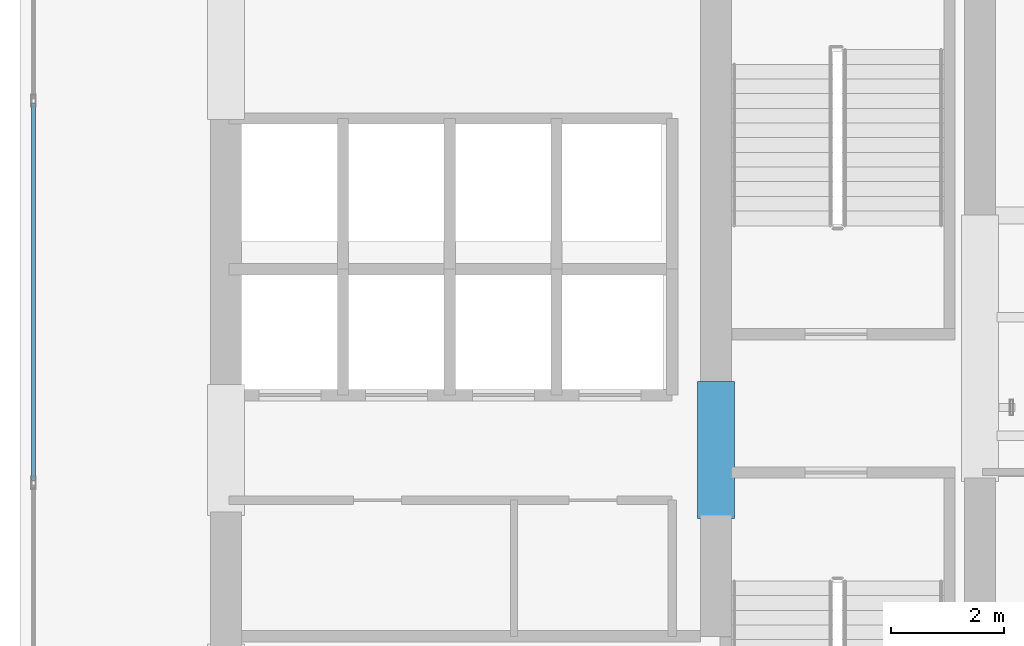
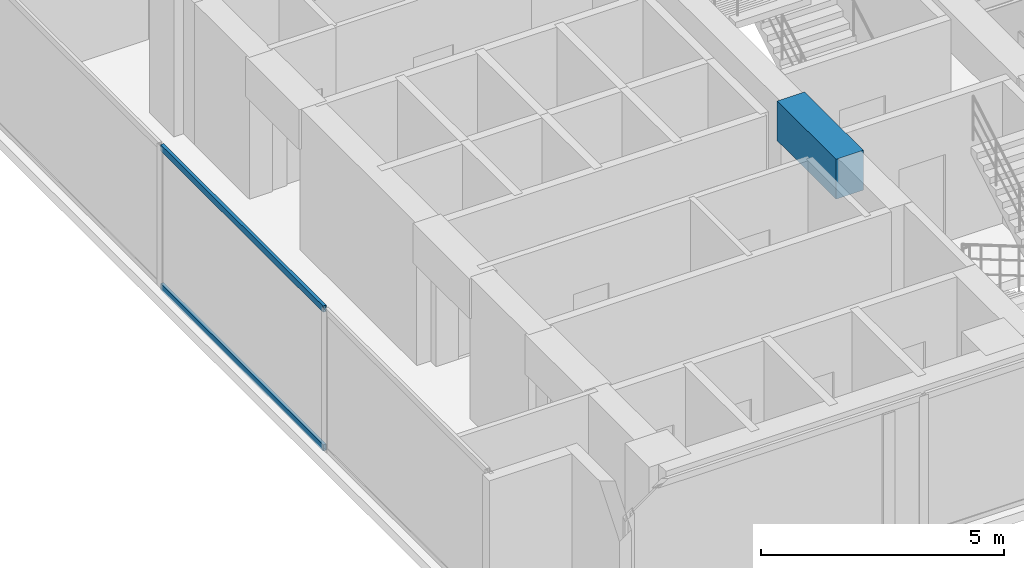
# One storey, part 3 of 24: 2 members, 1 beam, 1 element without a shape of its own.
"""IFC4 building model written with IfcOpenShell, lengths in metres."""

from ifc_helpers import new_model, si_unit, direction, frame, origin, origin_with_axes, origin_2d, place, context, subcontext, project, spatial, rectangle, hollow_rectangle, extrude, source, transform, mapped, material, layer, layer_set, material_profile, profile_set, type_object, element, aggregate, save


model = new_model("IFC4")

# Units and contexts
model_context = context("Model", 3, precision=1e-05, world=origin(), true_north=direction((0.0, 1.0)))
body_context = subcontext(model_context, "Body", "Model", "MODEL_VIEW")
ifc_project = project(units=[si_unit("LENGTHUNIT", "METRE"), si_unit("AREAUNIT", "SQUARE_METRE"), si_unit("VOLUMEUNIT", "CUBIC_METRE"), si_unit("PLANEANGLEUNIT", "RADIAN"), si_unit("MASSUNIT", "GRAM", prefix="KILO")], contexts=[model_context])

# Site, building, storey
site_placement = place(None, origin())
site = spatial("IfcSite", under=ifc_project, at=site_placement, CompositionType="ELEMENT")
building_placement = place(site_placement, origin())
building = spatial("IfcBuilding", under=site, at=building_placement, Name="Kolvaren Waterfront Exchange", CompositionType="ELEMENT")
storey_placement = place(building_placement, frame((0.0, 0.0, 208.300048828125)))
storey = spatial("IfcBuildingStorey", under=building, at=storey_placement, Name="L53", CompositionType="ELEMENT", Elevation=208.300048828125)

# Beam
ifc_material_1 = material(Name="Concrete C60/75", Category="concrete")
ifc_material_profile_1 = material_profile(ifc_material_1, rectangle(XDim=0.64990234375, YDim=1.0, at=origin_2d()), Name="RC-CB-1000x650")
ifc_profile_set_1 = profile_set([ifc_material_profile_1], Name="Concrete C60/75")
beam_type = type_object("IfcBeamType", Name="STR-CB-1000", PredefinedType="SPANDREL", material=ifc_profile_set_1)
beam_placement = place(storey_placement, frame((16.125, 12.0400390625, 3.06005859375), z_axis=(0.0, 1.0, 0.0), x_axis=(-1.0, 0.0, 0.0)))
element("IfcBeam", 1, at=beam_placement, inside=storey, type_object=beam_type, Name="L53 core coupling beam 6", PredefinedType="SPANDREL", context=body_context, shape_type="SweptSolid", body=[
    extrude(rectangle(XDim=0.64990234375, YDim=1.0, at=origin_2d()), origin(), (0.0, 0.0, 1.0), 2.419921875),
])

# Curtain wall, members
ifc_material_2 = material(Name="Anodised aluminium 6063-T6", Category="aluminium")
ifc_layer = layer(ifc_material_2, 0.219970703125, Name="Anodised aluminium 6063-T6")
ifc_layer_set = layer_set([ifc_layer], Name="Anodised aluminium 6063-T6")
curtain_wall_type = type_object("IfcCurtainWallType", Name="ARC-CW-SYS2", PredefinedType="USERDEFINED", material=ifc_layer_set)
curtain_wall_placement = place(storey_placement, origin())
curtain_wall = element("IfcCurtainWall", 2, at=curtain_wall_placement, inside=storey, type_object=curtain_wall_type, Name="L53 stick curtain wall CW2 (CW-L53-W)", ObjectType="STICK CURTAIN WALL", PredefinedType="USERDEFINED")
ifc_material_profile_2 = material_profile(ifc_material_2, hollow_rectangle(XDim=0.074951171875, YDim=0.159912109375, WallThickness=0.00439453125, at=origin_2d()), Name="ALU-TRN-160x75x4.5")
ifc_profile_set_2 = profile_set([ifc_material_profile_2], Name="Anodised aluminium 6063-T6")
member_type = type_object("IfcMemberType", Name="ARC-CWT-160", PredefinedType="USERDEFINED", material=ifc_profile_set_2)
shared_shape = source(origin_with_axes(), body_context, "Body", "SweptSolid", [
    extrude(hollow_rectangle(XDim=0.074951171875, YDim=0.159912109375, WallThickness=0.00439453125, at=origin_2d()), origin(), (0.0, 0.0, 1.0), 6.6865234375),
])
member_1_placement = place(storey_placement, frame((4.0400390625, 12.706787109375, 0.037353515625), z_axis=(0.0, 1.0, 0.0), x_axis=(-1.0, 0.0, 0.0)))
member_1 = element("IfcMember", 3, at=member_1_placement, type_object=member_type, Name="CW2 transom 2.1", ObjectType="TRANSOM", PredefinedType="USERDEFINED", context=body_context, shape_type="MappedRepresentation", body=[
    mapped(shared_shape, transform((0.0, 0.0, 0.0), x_axis=(1.0, 0.0, 0.0), y_axis=(0.0, 1.0, 0.0), z_axis=(0.0, 0.0, 1.0), scale=1.0)),
])
member_2_placement = place(storey_placement, frame((4.0400390625, 12.706787109375, 3.5224609375), z_axis=(0.0, 1.0, 0.0), x_axis=(-1.0, 0.0, 0.0)))
member_2 = element("IfcMember", 4, at=member_2_placement, type_object=member_type, Name="CW2 transom 2.2", ObjectType="TRANSOM", PredefinedType="USERDEFINED", context=body_context, shape_type="MappedRepresentation", body=[
    mapped(shared_shape, transform((0.0, 0.0, 0.0), x_axis=(1.0, 0.0, 0.0), y_axis=(0.0, 1.0, 0.0), z_axis=(0.0, 0.0, 1.0), scale=1.0)),
])
aggregate(curtain_wall, [member_1, member_2])

save(model, "model.ifc")
